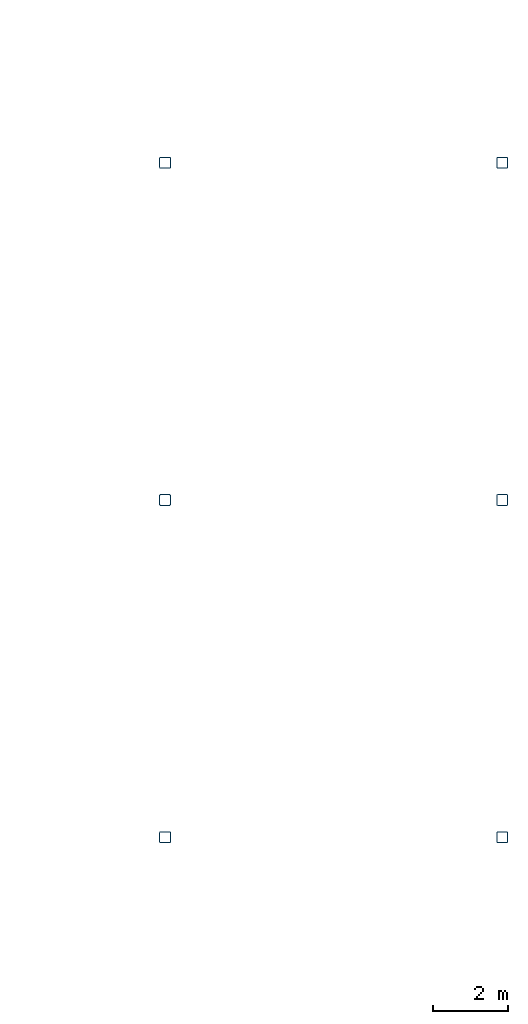
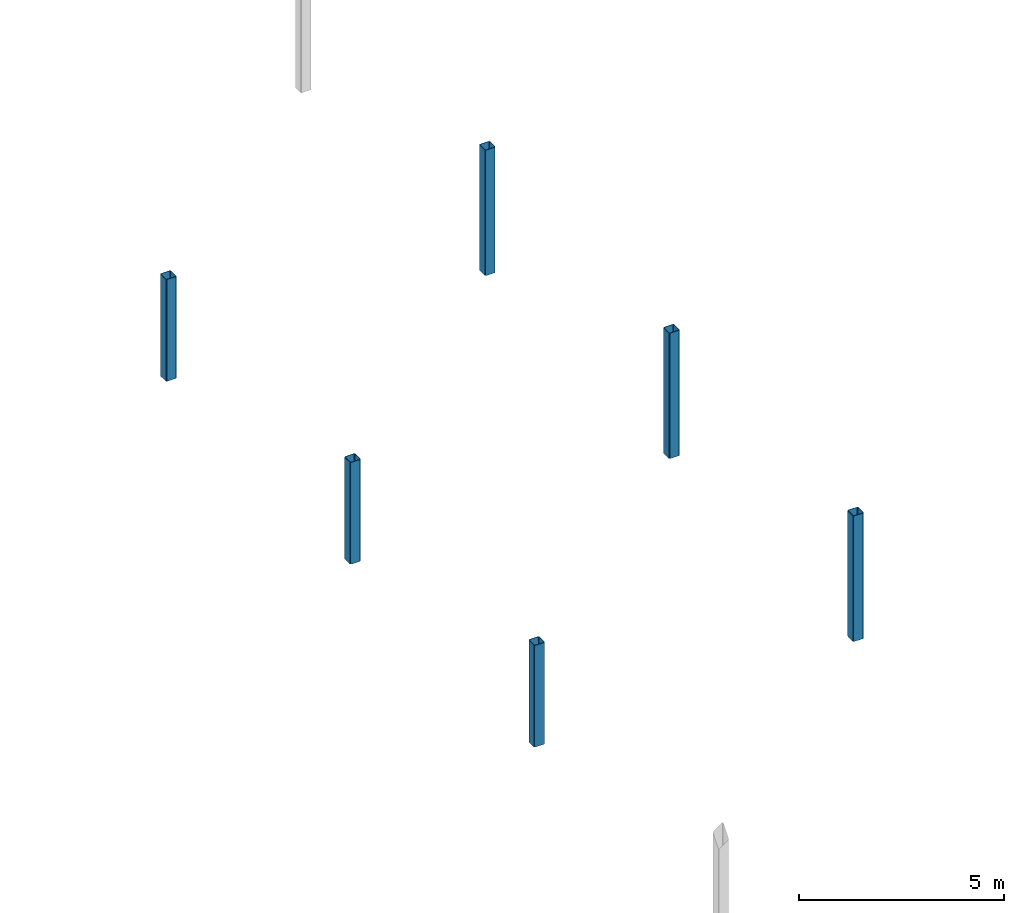
# One storey, part 8 of 15: 6 columns.
"""IFC4 building model written with IfcOpenShell, lengths in metres."""

from ifc_helpers import new_model, si_unit, direction, frame, origin, origin_2d, place, context, subcontext, project, spatial, hollow_rectangle, extrude, material, material_profile, profile_set, type_object, element, save


model = new_model("IFC4")

# Units and contexts
model_context = context("Model", 3, precision=1e-05, world=origin(), true_north=direction((0.0, 1.0)))
body_context = subcontext(model_context, "Body", "Model", "MODEL_VIEW")
ifc_project = project(units=[si_unit("LENGTHUNIT", "METRE"), si_unit("AREAUNIT", "SQUARE_METRE"), si_unit("VOLUMEUNIT", "CUBIC_METRE"), si_unit("PLANEANGLEUNIT", "RADIAN"), si_unit("MASSUNIT", "GRAM", prefix="KILO")], contexts=[model_context])

# Site, building, storey
site_placement = place(None, origin())
site = spatial("IfcSite", under=ifc_project, at=site_placement, CompositionType="ELEMENT")
building_placement = place(site_placement, origin())
building = spatial("IfcBuilding", under=site, at=building_placement, Name="Opaline Strait Convention Centre", CompositionType="ELEMENT")
storey_placement = place(building_placement, frame((0.0, 0.0, 20.10009765625)))
storey = spatial("IfcBuildingStorey", under=building, at=storey_placement, Name="Roof Restaurants and Business Centre", CompositionType="ELEMENT", Elevation=20.10009765625)

# Columns
ifc_material = material(Name="Steel Q355B", Category="steel")
ifc_material_profile = material_profile(ifc_material, hollow_rectangle(XDim=0.300048828125, YDim=0.300048828125, WallThickness=0.011962890625, InnerFilletRadius=0.02392578125, OuterFilletRadius=0.035888671875, at=origin_2d()), Name="RHS 300x300x12")
ifc_profile_set = profile_set([ifc_material_profile], Name="Steel Q355B")
column_type = type_object("IfcColumnType", Name="Roof post RHS 300x300x12", PredefinedType="COLUMN", material=ifc_profile_set)
for number, where, z_axis, x_axis, name in (
    (1, (351.0, 135.0, 0.0), (0.0, 0.0, 1.0), (1.0, 0.0, 0.0), "MRS1 roof post at 40/R above Roof Restaurants and Business Centre"),
    (2, (351.0, 144.0, 0.0), (0.0, 0.0, 1.0), (1.0, 0.0, 0.0), "MRS1 roof post at 40/S above Roof Restaurants and Business Centre"),
    (3, (351.0, 153.0, 0.0), (0.0, 0.0, 1.0), (1.0, 0.0, 0.0), "MRS1 roof post at 40/T above Roof Restaurants and Business Centre"),
):
    element("IfcColumn", number, at=place(storey_placement, frame(where, z_axis=z_axis, x_axis=x_axis)), inside=storey, type_object=column_type, Name=name, PredefinedType="COLUMN", context=body_context, shape_type="SweptSolid", body=[
        extrude(hollow_rectangle(XDim=0.300048828125, YDim=0.300048828125, WallThickness=0.011962890625, InnerFilletRadius=0.02392578125, OuterFilletRadius=0.035888671875, at=origin_2d()), origin(), (0.0, 0.0, 1.0), 3.036865234375),
    ])
for number, where, z_axis, x_axis, name in (
    (4, (360.0, 135.0, 0.0), (0.0, 0.0, 1.0), (1.0, 0.0, 0.0), "MRS1 roof post at 41/R above Roof Restaurants and Business Centre"),
    (5, (360.0, 144.0, 0.0), (0.0, 0.0, 1.0), (1.0, 0.0, 0.0), "MRS1 roof post at 41/S above Roof Restaurants and Business Centre"),
    (6, (360.0, 153.0, 0.0), (0.0, 0.0, 1.0), (1.0, 0.0, 0.0), "MRS1 roof post at 41/T above Roof Restaurants and Business Centre"),
):
    element("IfcColumn", number, at=place(storey_placement, frame(where, z_axis=z_axis, x_axis=x_axis)), inside=storey, type_object=column_type, Name=name, PredefinedType="COLUMN", context=body_context, shape_type="SweptSolid", body=[
        extrude(hollow_rectangle(XDim=0.300048828125, YDim=0.300048828125, WallThickness=0.011962890625, InnerFilletRadius=0.02392578125, OuterFilletRadius=0.035888671875, at=origin_2d()), origin(), (0.0, 0.0, 1.0), 3.7451171875),
    ])

save(model, "model.ifc")
